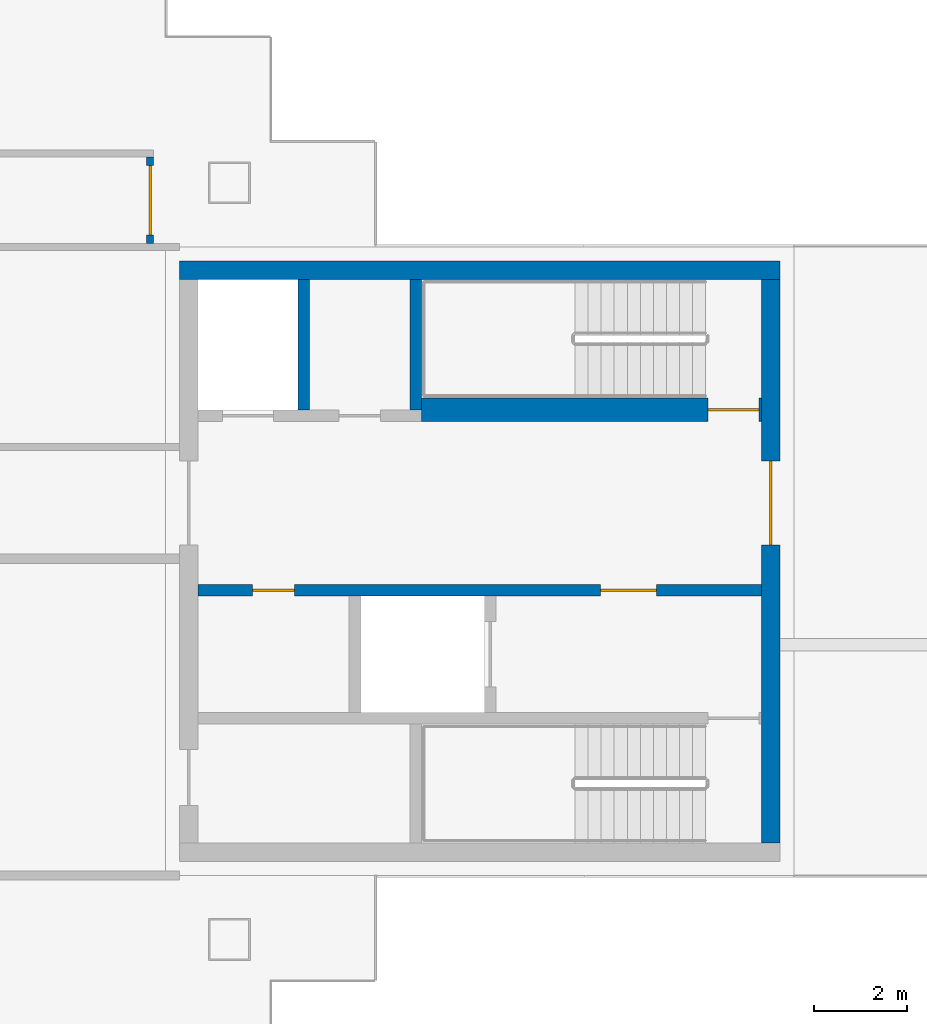
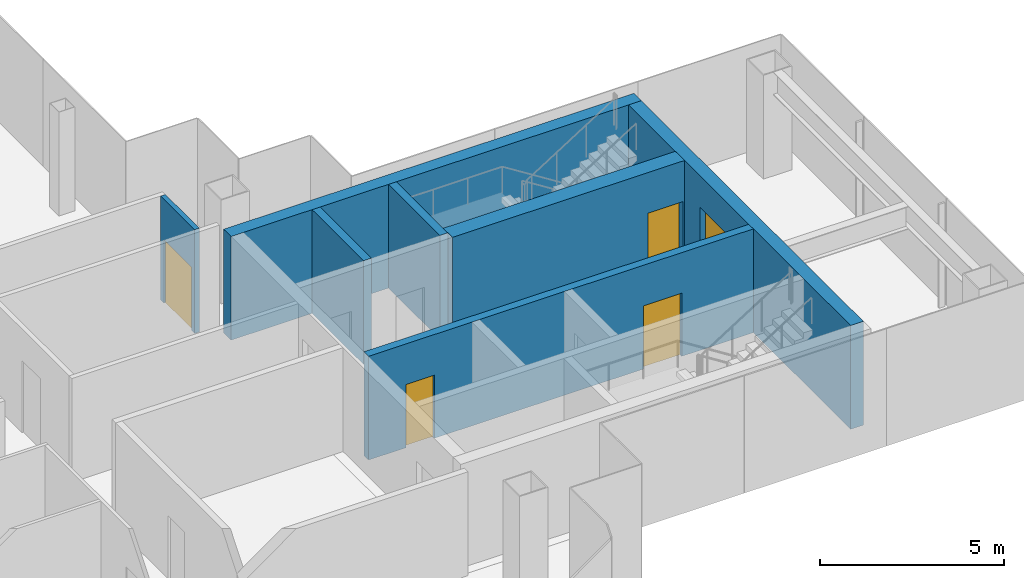
# One storey, part 12 of 15: 7 walls, 5 doors, 5 openings.
"""IFC4 building model written with IfcOpenShell, lengths in metres."""

from ifc_helpers import new_model, si_unit, direction, frame, frame_2d, origin, place, context, subcontext, project, spatial, rectangle, extrude, material, layer, layer_set, type_object, element, fill, save


model = new_model("IFC4")

# Units and contexts
model_context = context("Model", 3, precision=1e-05, world=origin(), true_north=direction((0.0, 1.0)))
body_context = subcontext(model_context, "Body", "Model", "MODEL_VIEW")
ifc_project = project(units=[si_unit("LENGTHUNIT", "METRE"), si_unit("AREAUNIT", "SQUARE_METRE"), si_unit("VOLUMEUNIT", "CUBIC_METRE"), si_unit("PLANEANGLEUNIT", "RADIAN"), si_unit("MASSUNIT", "GRAM", prefix="KILO")], contexts=[model_context])

# Site, building, storey
site_placement = place(None, origin())
site = spatial("IfcSite", under=ifc_project, at=site_placement, CompositionType="ELEMENT")
building_placement = place(site_placement, origin())
building = spatial("IfcBuilding", under=site, at=building_placement, Name="Shamsa Quay Exchange Towers", CompositionType="ELEMENT")
storey_placement = place(building_placement, frame((0.0, 0.0, 269.39990234375)))
storey = spatial("IfcBuildingStorey", under=building, at=storey_placement, Name="L65", CompositionType="ELEMENT", Elevation=269.39990234375)

# Wall
ifc_material_1 = material(Name="Concrete C60/75", Category="concrete")
ifc_layer_1 = layer(ifc_material_1, 0.39990234375)
ifc_layer_set_1 = layer_set([ifc_layer_1], Name="CORE WALL 400 C60/75")
wall_type_1 = type_object("IfcWallType", Name="CORE WALL 400 C60/75", PredefinedType="SHEAR", material=ifc_layer_set_1)
wall_1_placement = place(storey_placement, frame((53.699951171875, 6.25, 0.0), z_axis=(0.0, 0.0, 1.0), x_axis=(-1.0, 0.0, 0.0)))
element("IfcWall", 1, at=wall_1_placement, inside=storey, type_object=wall_type_1, Name="Core wall T2B-R30-PN", PredefinedType="SHEAR", context=body_context, shape_type="SweptSolid", body=[
    extrude(rectangle(XDim=12.89990234375, YDim=0.39990234375, at=frame_2d((6.449951171875, 0.0))), origin(), (0.0, 0.0, 1.0), 3.4501953125),
])

# Wall, opening, door
wall_2_placement = place(storey_placement, frame((53.5, -6.050048828125, 0.0), z_axis=(0.0, 0.0, 1.0), x_axis=(0.0, 1.0, 0.0)))
wall_2 = element("IfcWall", 2, at=wall_2_placement, inside=storey, type_object=wall_type_1, Name="Core wall T2B-R30-PF", PredefinedType="SHEAR", context=body_context, shape_type="SweptSolid", body=[
    extrude(rectangle(XDim=12.10009765625, YDim=0.39990234375, at=frame_2d((6.050048828125, 0.0))), origin(), (0.0, 0.0, 1.0), 3.4501953125),
])
opening_1_placement = place(wall_2_placement, frame((6.39990234375, 0.0, 0.0)))
opening_1 = element("IfcOpeningElement", 3, at=opening_1_placement, cuts=wall_2, Name="Opening T2B-R30-LBD01", PredefinedType="OPENING", context=body_context, shape_type="SweptSolid", body=[
    extrude(rectangle(XDim=1.800048828125, YDim=2.39990234375, at=frame_2d((0.89990234375, 1.199951171875))), frame((0.0, 0.2099609375, 0.0), z_axis=(0.0, -1.0, 0.0), x_axis=(1.0, 0.0, 0.0)), (0.0, 0.0, 1.0), 0.419921875),
])
ifc_material_2 = material(Name="Steel, fire rated", Category="steel")
door_type_1 = type_object("IfcDoorType", Name="LIFT LOBBY DOOR PAIR 1800", OperationType="DOUBLE_DOOR_SINGLE_SWING", PredefinedType="DOOR", material=ifc_material_2)
door_1_placement = place(opening_1_placement, origin())
door_1 = element("IfcDoor", 4, at=door_1_placement, inside=storey, type_object=door_type_1, Name="T2B-R30-LBD01", OperationType="DOUBLE_DOOR_SINGLE_SWING", OverallHeight=2.39990234375, OverallWidth=1.800048828125, PredefinedType="DOOR", context=body_context, shape_type="SweptSolid", body=[
    extrude(rectangle(XDim=1.800048828125, YDim=2.39990234375, at=frame_2d((0.89990234375, 1.199951171875))), frame((0.0, 0.02490234375, 0.0), z_axis=(0.0, -1.0, 0.0), x_axis=(1.0, 0.0, 0.0)), (0.0, 0.0, 1.0), 0.050048828125),
])
fill(opening_1, door_1)

ifc_material_3 = material(Name="Gypsum board partition on metal studs")
ifc_layer_2 = layer(ifc_material_3, 0.14990234375)
ifc_layer_set_2 = layer_set([ifc_layer_2], Name="Partition 150 mm EI 60")
wall_type_2 = type_object("IfcWallType", Name="Partition 150 mm EI 60", PredefinedType="PARTITIONING", material=ifc_layer_set_2)
wall_3_placement = place(storey_placement, frame((40.1748046875, 6.824951171875, 0.0), z_axis=(0.0, 0.0, 1.0), x_axis=(0.0, 1.0, 0.0)))
wall_3 = element("IfcWall", 5, at=wall_3_placement, inside=storey, type_object=wall_type_2, Name="Partition T2-R30-W12", PredefinedType="PARTITIONING", context=body_context, shape_type="SweptSolid", body=[
    extrude(rectangle(XDim=1.85009765625, YDim=0.14990234375, at=frame_2d((0.925048828125, 0.0))), origin(), (0.0, 0.0, 1.0), 3.4501953125),
])
opening_2_placement = place(wall_3_placement, frame((0.175048828125, 0.0, 0.0)))
opening_2 = element("IfcOpeningElement", 6, at=opening_2_placement, cuts=wall_3, Name="Opening T2-R30-D01", PredefinedType="OPENING", context=body_context, shape_type="SweptSolid", body=[
    extrude(rectangle(XDim=1.5, YDim=2.10009765625, at=frame_2d((0.75, 1.050048828125))), frame((0.0, 0.0849609375, 0.0), z_axis=(0.0, -1.0, 0.0), x_axis=(1.0, 0.0, 0.0)), (0.0, 0.0, 1.0), 0.169921875),
])
ifc_material_4 = material(Name="Timber door leaf in a metal frame", Category="wood")
door_type_2 = type_object("IfcDoorType", Name="Door 1500x2100 FD30S pair", OperationType="NOTDEFINED", PredefinedType="DOOR", material=ifc_material_4)
door_2_placement = place(opening_2_placement, origin())
door_2 = element("IfcDoor", 7, at=door_2_placement, inside=storey, type_object=door_type_2, Name="Door T2-R30-D01", OperationType="DOUBLE_DOOR_SINGLE_SWING", OverallHeight=2.10009765625, OverallWidth=1.5, PredefinedType="DOOR", context=body_context, shape_type="SweptSolid", body=[
    extrude(rectangle(XDim=1.5, YDim=2.10009765625, at=frame_2d((0.75, 1.050048828125))), frame((0.0, 0.02490234375, 0.0), z_axis=(0.0, -1.0, 0.0), x_axis=(1.0, 0.0, 0.0)), (0.0, 0.0, 1.0), 0.050048828125),
])
fill(opening_2, door_2)

# Wall, openings, doors
ifc_material_5 = material(Name="Concrete C50/60", Category="concrete")
ifc_layer_3 = layer(ifc_material_5, 0.25)
ifc_layer_set_3 = layer_set([ifc_layer_3], Name="SHAFT WALL 250 C50/60")
wall_type_3 = type_object("IfcWallType", Name="SHAFT WALL 250 C50/60", PredefinedType="SHEAR", material=ifc_layer_set_3)
wall_4_placement = place(storey_placement, frame((53.300048828125, -0.625, 0.0), z_axis=(0.0, 0.0, 1.0), x_axis=(-1.0, 0.0, 0.0)))
wall_4 = element("IfcWall", 8, at=wall_4_placement, inside=storey, type_object=wall_type_3, Name="Shaft wall T2B-R30-B", PredefinedType="SHEAR", context=body_context, shape_type="SweptSolid", body=[
    extrude(rectangle(XDim=12.10009765625, YDim=0.25, at=frame_2d((6.050048828125, 0.0))), origin(), (0.0, 0.0, 1.0), 3.4501953125),
])
opening_3_placement = place(wall_4_placement, frame((2.25, 0.0, 0.0)))
opening_3 = element("IfcOpeningElement", 9, at=opening_3_placement, cuts=wall_4, Name="Opening T2B-R30-FD05", PredefinedType="OPENING", context=body_context, shape_type="SweptSolid", body=[
    extrude(rectangle(XDim=1.199951171875, YDim=2.10009765625, at=frame_2d((0.60009765625, 1.050048828125))), frame((0.0, 0.135009765625, 0.0), z_axis=(0.0, -1.0, 0.0), x_axis=(1.0, 0.0, 0.0)), (0.0, 0.0, 1.0), 0.27001953125),
])
opening_4_placement = place(wall_4_placement, frame((10.02490234375, 0.0, 0.0)))
opening_4 = element("IfcOpeningElement", 10, at=opening_4_placement, cuts=wall_4, Name="Opening T2B-R30-SV06", PredefinedType="OPENING", context=body_context, shape_type="SweptSolid", body=[
    extrude(rectangle(XDim=0.89990234375, YDim=2.10009765625, at=frame_2d((0.449951171875, 1.050048828125))), frame((0.0, 0.135009765625, 0.0), z_axis=(0.0, -1.0, 0.0), x_axis=(1.0, 0.0, 0.0)), (0.0, 0.0, 1.0), 0.27001953125),
])
door_type_3 = type_object("IfcDoorType", Name="FIRE SERVICE LOBBY DOOR 1200", OperationType="SINGLE_SWING_LEFT", PredefinedType="DOOR", material=ifc_material_2)
door_3_placement = place(opening_3_placement, origin())
door_3 = element("IfcDoor", 11, at=door_3_placement, inside=storey, type_object=door_type_3, Name="T2B-R30-FD05", OperationType="SINGLE_SWING_LEFT", OverallHeight=2.10009765625, OverallWidth=1.199951171875, PredefinedType="DOOR", context=body_context, shape_type="SweptSolid", body=[
    extrude(rectangle(XDim=1.199951171875, YDim=2.10009765625, at=frame_2d((0.60009765625, 1.050048828125))), frame((0.0, 0.02490234375, 0.0), z_axis=(0.0, -1.0, 0.0), x_axis=(1.0, 0.0, 0.0)), (0.0, 0.0, 1.0), 0.050048828125),
])
fill(opening_3, door_3)
door_type_4 = type_object("IfcDoorType", Name="SERVICE ROOM DOOR 900", OperationType="SINGLE_SWING_LEFT", PredefinedType="DOOR", material=ifc_material_2)
door_4_placement = place(opening_4_placement, origin())
door_4 = element("IfcDoor", 12, at=door_4_placement, inside=storey, type_object=door_type_4, Name="T2B-R30-SV06", OperationType="SINGLE_SWING_RIGHT", OverallHeight=2.10009765625, OverallWidth=0.89990234375, PredefinedType="DOOR", context=body_context, shape_type="SweptSolid", body=[
    extrude(rectangle(XDim=0.89990234375, YDim=2.10009765625, at=frame_2d((0.449951171875, 1.050048828125))), frame((0.0, 0.02490234375, 0.0), z_axis=(0.0, -1.0, 0.0), x_axis=(1.0, 0.0, 0.0)), (0.0, 0.0, 1.0), 0.050048828125),
])
fill(opening_4, door_4)

# Walls
for number, where, z_axis, x_axis, name in (
    (13, (45.875, 3.25, 0.0), (0.0, 0.0, 1.0), (0.0, 1.0, 0.0), "Shaft wall T2B-R30-STF2"),
    (14, (43.47509765625, 3.25, 0.0), (0.0, 0.0, 1.0), (0.0, 1.0, 0.0), "Shaft wall T2B-R30-D0"),
):
    element("IfcWall", number, at=place(storey_placement, frame(where, z_axis=z_axis, x_axis=x_axis)), inside=storey, type_object=wall_type_3, Name=name, PredefinedType="SHEAR", context=body_context, shape_type="SweptSolid", body=[
        extrude(rectangle(XDim=2.800048828125, YDim=0.25, at=frame_2d((1.39990234375, 0.0))), origin(), (0.0, 0.0, 1.0), 3.4501953125),
    ])

# Wall, opening, door
ifc_layer_4 = layer(ifc_material_5, 0.5)
ifc_layer_set_4 = layer_set([ifc_layer_4], Name="SHAFT WALL 500 C50/60")
wall_type_4 = type_object("IfcWallType", Name="SHAFT WALL 500 C50/60", PredefinedType="SHEAR", material=ifc_layer_set_4)
wall_5_placement = place(storey_placement, frame((46.0, 3.25, 0.0)))
wall_5 = element("IfcWall", 15, at=wall_5_placement, inside=storey, type_object=wall_type_4, Name="Shaft wall T2B-R30-N", PredefinedType="SHEAR", context=body_context, shape_type="SweptSolid", body=[
    extrude(rectangle(XDim=7.300048828125, YDim=0.5, at=frame_2d((3.64990234375, 0.0))), origin(), (0.0, 0.0, 1.0), 3.4501953125),
])
opening_5_placement = place(wall_5_placement, frame((6.14990234375, 0.0, 0.0)))
opening_5 = element("IfcOpeningElement", 16, at=opening_5_placement, cuts=wall_5, Name="Opening T2B-R30-SD08", PredefinedType="OPENING", context=body_context, shape_type="SweptSolid", body=[
    extrude(rectangle(XDim=1.10009765625, YDim=2.10009765625, at=frame_2d((0.550048828125, 1.050048828125))), frame((0.0, 0.260009765625, 0.0), z_axis=(0.0, -1.0, 0.0), x_axis=(1.0, 0.0, 0.0)), (0.0, 0.0, 1.0), 0.52001953125),
])
door_type_5 = type_object("IfcDoorType", Name="STAIR DOOR 1100", OperationType="SINGLE_SWING_LEFT", PredefinedType="DOOR", material=ifc_material_2)
door_5_placement = place(opening_5_placement, origin())
door_5 = element("IfcDoor", 17, at=door_5_placement, inside=storey, type_object=door_type_5, Name="T2B-R30-SD08", OperationType="SINGLE_SWING_RIGHT", OverallHeight=2.10009765625, OverallWidth=1.10009765625, PredefinedType="DOOR", context=body_context, shape_type="SweptSolid", body=[
    extrude(rectangle(XDim=1.10009765625, YDim=2.10009765625, at=frame_2d((0.550048828125, 1.050048828125))), frame((0.0, 0.02490234375, 0.0), z_axis=(0.0, -1.0, 0.0), x_axis=(1.0, 0.0, 0.0)), (0.0, 0.0, 1.0), 0.050048828125),
])
fill(opening_5, door_5)

save(model, "model.ifc")
